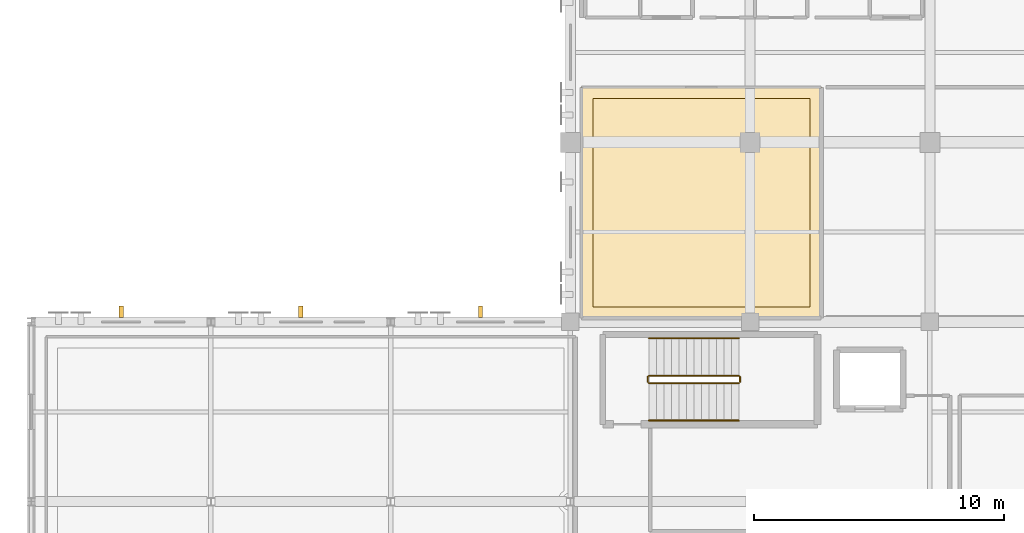
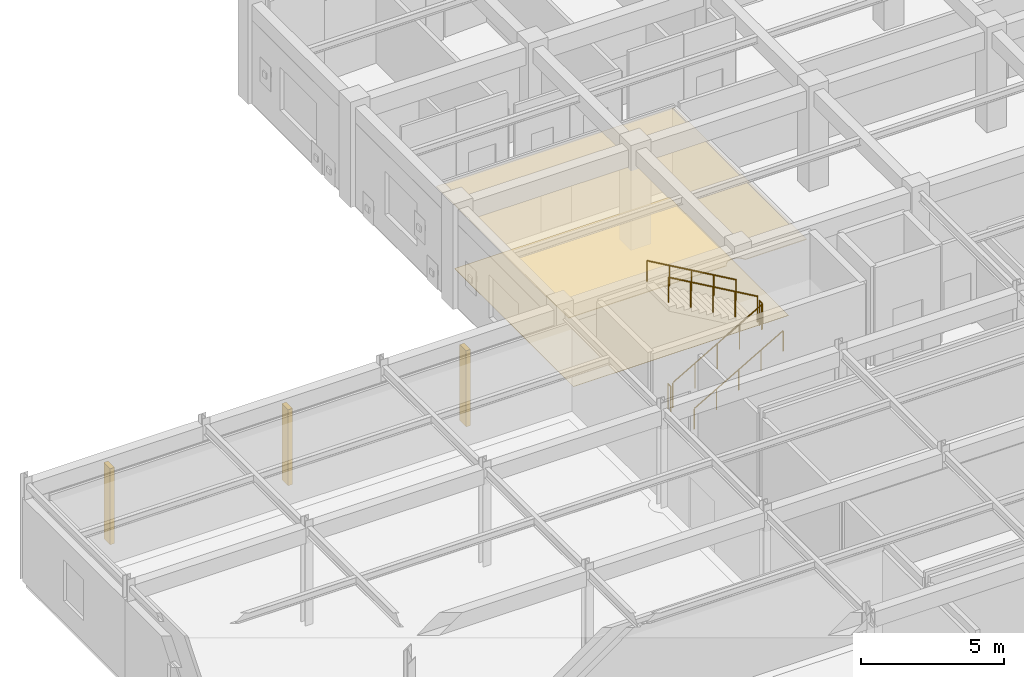
# One storey, part 99 of 106: 6 railings, 3 shading devices, 2 coverings.
"""IFC4 building model written with IfcOpenShell, lengths in metres."""

from ifc_helpers import new_model, si_unit, direction, frame, origin, origin_2d, place, context, subcontext, project, spatial, polyline, rectangle, circle, outline, extrude, material, layer, layer_set, type_object, element, save


model = new_model("IFC4")

# Units and contexts
model_context = context("Model", 3, precision=1e-05, world=origin(), true_north=direction((0.0, 1.0)))
body_context = subcontext(model_context, "Body", "Model", "MODEL_VIEW")
ifc_project = project(units=[si_unit("LENGTHUNIT", "METRE"), si_unit("AREAUNIT", "SQUARE_METRE"), si_unit("VOLUMEUNIT", "CUBIC_METRE"), si_unit("PLANEANGLEUNIT", "RADIAN"), si_unit("MASSUNIT", "GRAM", prefix="KILO")], contexts=[model_context])

# Site, building, storey
site_placement = place(None, origin())
site = spatial("IfcSite", under=ifc_project, at=site_placement, CompositionType="ELEMENT")
building_placement = place(site_placement, origin())
building = spatial("IfcBuilding", under=site, at=building_placement, Name="Carrowvane Square Congress Hotel", CompositionType="ELEMENT")
storey_placement = place(building_placement, frame((0.0, 0.0, 10.5)))
storey = spatial("IfcBuildingStorey", under=building, at=storey_placement, Name="L02", CompositionType="ELEMENT", Elevation=10.5)

# Coverings
ifc_material_1 = material(Name="Anodised aluminium", Category="aluminium")
ifc_layer_1 = layer(ifc_material_1, 0.030029296875)
ifc_layer_set_1 = layer_set([ifc_layer_1], Name="Anodised aluminium")
covering_type_1 = type_object("IfcCoveringType", Name="COV-CLG-MT30", PredefinedType="CEILING", material=ifc_layer_set_1)
covering_1_placement = place(storey_placement, frame((0.0, 0.0, 3.375)))
element("IfcCovering", 1, at=covering_1_placement, inside=storey, type_object=covering_type_1, Name="L02 L02 Wellness Reading Lounge acoustic ceiling", PredefinedType="CEILING", context=body_context, shape_type="SweptSolid", body=[
    extrude(outline(polyline([(43.26904296875, 101.205810546875), (43.26953125, 101.203857421875), (43.27001953125, 101.201904296875), (43.27001953125, 101.199951171875), (43.27001953125, 91.9599609375), (43.27001953125, 91.9580078125), (43.26953125, 91.9560546875), (43.26904296875, 91.9541015625), (43.2685546875, 91.952392578125), (43.267578125, 91.95068359375), (43.2666015625, 91.948974609375), (43.265380859375, 91.947265625), (43.26416015625, 91.94580078125), (43.2626953125, 91.944580078125), (43.260986328125, 91.943359375), (43.259521484375, 91.9423828125), (43.2578125, 91.94140625), (43.255859375, 91.94091796875), (43.25390625, 91.9404296875), (43.251953125, 91.940185546875), (43.25, 91.93994140625), (40.774169921875, 91.93994140625), (40.76953125, 91.953125), (40.752685546875, 91.988525390625), (40.732666015625, 92.022216796875), (40.709228515625, 92.0537109375), (40.682861328125, 92.082763671875), (40.65380859375, 92.109130859375), (40.622314453125, 92.132568359375), (40.588623046875, 92.15283203125), (40.552978515625, 92.169677734375), (40.51611328125, 92.182861328125), (40.47802734375, 92.1923828125), (40.439208984375, 92.197998046875), (40.39990234375, 92.199951171875), (40.36083984375, 92.197998046875), (40.322021484375, 92.1923828125), (40.283935546875, 92.182861328125), (40.246826171875, 92.169677734375), (40.21142578125, 92.15283203125), (40.177734375, 92.132568359375), (40.146240234375, 92.109130859375), (40.1171875, 92.082763671875), (40.0908203125, 92.0537109375), (40.0673828125, 92.022216796875), (40.047119140625, 91.988525390625), (40.030517578125, 91.953125), (40.02587890625, 91.93994140625), (33.64990234375, 91.93994140625), (33.64794921875, 91.940185546875), (33.64599609375, 91.9404296875), (33.644287109375, 91.94091796875), (33.642333984375, 91.94140625), (33.640625, 91.9423828125), (33.638916015625, 91.943359375), (33.63720703125, 91.944580078125), (33.635986328125, 91.94580078125), (33.634521484375, 91.947265625), (33.63330078125, 91.948974609375), (33.63232421875, 91.95068359375), (33.631591796875, 91.952392578125), (33.630859375, 91.9541015625), (33.63037109375, 91.9560546875), (33.630126953125, 91.9580078125), (33.6298828125, 91.9599609375), (33.6298828125, 98.86767578125), (33.630615234375, 98.869384765625), (33.641357421875, 98.912109375), (33.647705078125, 98.955810546875), (33.64990234375, 99.0), (33.647705078125, 99.044189453125), (33.641357421875, 99.087890625), (33.630615234375, 99.130615234375), (33.6298828125, 99.13232421875), (33.6298828125, 101.199951171875), (33.630126953125, 101.201904296875), (33.63037109375, 101.203857421875), (33.630859375, 101.205810546875), (33.631591796875, 101.207763671875), (33.63232421875, 101.20947265625), (33.63330078125, 101.211181640625), (33.634521484375, 101.212646484375), (33.635986328125, 101.214111328125), (33.63720703125, 101.215576171875), (33.638916015625, 101.216552734375), (33.640625, 101.217529296875), (33.642333984375, 101.218505859375), (33.644287109375, 101.218994140625), (33.64599609375, 101.219482421875), (33.64794921875, 101.219970703125), (33.64990234375, 101.219970703125), (43.25, 101.219970703125), (43.251953125, 101.219970703125), (43.25390625, 101.219482421875), (43.255859375, 101.218994140625), (43.2578125, 101.218505859375), (43.259521484375, 101.217529296875), (43.260986328125, 101.216552734375), (43.2626953125, 101.215576171875), (43.26416015625, 101.214111328125), (43.265380859375, 101.212646484375), (43.2666015625, 101.211181640625), (43.267578125, 101.20947265625), (43.2685546875, 101.207763671875), (43.26904296875, 101.205810546875)])), origin(), (0.0, 0.0, 1.0), 0.030029296875),
])
ifc_material_2 = material(Name="European oak timber", Category="wood")
ifc_layer_2 = layer(ifc_material_2, 0.013916015625)
ifc_layer_set_2 = layer_set([ifc_layer_2], Name="European oak timber")
covering_type_2 = type_object("IfcCoveringType", Name="COV-FLR-CRP14", PredefinedType="FLOORING", material=ifc_layer_set_2)
covering_2_placement = place(storey_placement, origin())
element("IfcCovering", 2, at=covering_2_placement, inside=storey, type_object=covering_type_2, Name="L02 L02 Wellness Reading Lounge floor finish", PredefinedType="FLOORING", context=body_context, shape_type="SweptSolid", body=[
    extrude(outline(polyline([(42.800048828125, 92.409912109375), (34.10009765625, 92.409912109375), (34.10009765625, 100.75), (42.800048828125, 100.75), (42.800048828125, 92.409912109375)])), origin(), (0.0, 0.0, 1.0), 0.013916015625),
])

# Railings
ifc_material_3 = material(Name="Stainless steel 316", Category="steel")
ifc_layer_3 = layer(ifc_material_3, 0.048095703125)
ifc_layer_set_3 = layer_set([ifc_layer_3], Name="Stainless steel 316")
railing_type_1 = type_object("IfcRailingType", Name="RLG-HR-900", PredefinedType="HANDRAIL", material=ifc_layer_set_3)
railing_1_placement = place(storey_placement, frame((36.35009765625, 87.85009765625, 0.173095703125)))
element("IfcRailing", 3, at=railing_1_placement, inside=storey, type_object=railing_type_1, Name="L02 ST5 stair handrail 1", PredefinedType="HANDRAIL", context=body_context, shape_type="SweptSolid", body=[
    extrude(circle(Radius=0.02392578125, at=origin_2d()), frame((0.0, 0.0, 0.8759765625), z_axis=(0.866178740119, 0.0, 0.499734319579), x_axis=(0.0, 1.0, 0.0)), (0.0, 0.0, 1.0), 4.156005859375),
    extrude(circle(Radius=0.02099609375, at=origin_2d()), origin(), (0.0, 0.0, 1.0), 0.851806640625),
    extrude(circle(Radius=0.02099609375, at=origin_2d()), frame((0.89990234375, 0.0, 0.519287109375)), (0.0, 0.0, 1.0), 0.851806640625),
    extrude(circle(Radius=0.02099609375, at=origin_2d()), frame((1.7998046875, 0.0, 1.03857421875)), (0.0, 0.0, 1.0), 0.851806640625),
    extrude(circle(Radius=0.02099609375, at=origin_2d()), frame((2.699951171875, 0.0, 1.5576171875)), (0.0, 0.0, 1.0), 0.851806640625),
    extrude(circle(Radius=0.02099609375, at=origin_2d()), frame((3.599853515625, 0.0, 2.076904296875)), (0.0, 0.0, 1.0), 0.851806640625),
])
railing_2_placement = place(storey_placement, frame((39.949951171875, 91.14990234375, 2.423095703125)))
element("IfcRailing", 4, at=railing_2_placement, inside=storey, type_object=railing_type_1, Name="L02 ST5 stair handrail 2", PredefinedType="HANDRAIL", context=body_context, shape_type="SweptSolid", body=[
    extrude(circle(Radius=0.02392578125, at=origin_2d()), frame((0.0, 0.0, 0.8759765625), z_axis=(-0.866178740119, 0.0, 0.499734319579), x_axis=(0.0, -1.0, 0.0)), (0.0, 0.0, 1.0), 4.156005859375),
    extrude(circle(Radius=0.02099609375, at=origin_2d()), origin(), (0.0, 0.0, 1.0), 0.851806640625),
    extrude(circle(Radius=0.02099609375, at=origin_2d()), frame((-0.89990234375, 0.0, 0.519287109375)), (0.0, 0.0, 1.0), 0.851806640625),
    extrude(circle(Radius=0.02099609375, at=origin_2d()), frame((-1.7998046875, 0.0, 1.03857421875)), (0.0, 0.0, 1.0), 0.851806640625),
    extrude(circle(Radius=0.02099609375, at=origin_2d()), frame((-2.699951171875, 0.0, 1.5576171875)), (0.0, 0.0, 1.0), 0.851806640625),
    extrude(circle(Radius=0.02099609375, at=origin_2d()), frame((-3.599853515625, 0.0, 2.076904296875)), (0.0, 0.0, 1.0), 0.851806640625),
])
ifc_material_4 = material(Name="Galvanised steel", Category="steel")
ifc_layer_4 = layer(ifc_material_4, 0.048095703125)
ifc_layer_set_4 = layer_set([ifc_layer_4], Name="Galvanised steel")
railing_type_2 = type_object("IfcRailingType", Name="RLG-STG-1100", PredefinedType="GUARDRAIL", material=ifc_layer_set_4)
railing_3_placement = place(storey_placement, frame((36.35009765625, 89.35009765625, 0.173095703125)))
element("IfcRailing", 5, at=railing_3_placement, inside=storey, type_object=railing_type_2, Name="L02 ST5 stair guard 1", PredefinedType="GUARDRAIL", context=body_context, shape_type="SweptSolid", body=[
    extrude(circle(Radius=0.02392578125, at=origin_2d()), frame((0.0, 0.0, 1.076171875), z_axis=(0.866178740119, 0.0, 0.499734319579), x_axis=(0.0, 1.0, 0.0)), (0.0, 0.0, 1.0), 4.156005859375),
    extrude(circle(Radius=0.02099609375, at=origin_2d()), origin(), (0.0, 0.0, 1.0), 1.052001953125),
    extrude(circle(Radius=0.02099609375, at=origin_2d()), frame((0.89990234375, 0.0, 0.519287109375)), (0.0, 0.0, 1.0), 1.052001953125),
    extrude(circle(Radius=0.02099609375, at=origin_2d()), frame((1.7998046875, 0.0, 1.03857421875)), (0.0, 0.0, 1.0), 1.052001953125),
    extrude(circle(Radius=0.02099609375, at=origin_2d()), frame((2.699951171875, 0.0, 1.5576171875)), (0.0, 0.0, 1.0), 1.052001953125),
    extrude(circle(Radius=0.02099609375, at=origin_2d()), frame((3.599853515625, 0.0, 2.076904296875)), (0.0, 0.0, 1.0), 1.052001953125),
])
railing_4_placement = place(storey_placement, frame((40.0, 89.39990234375, 2.25)))
element("IfcRailing", 6, at=railing_4_placement, inside=storey, type_object=railing_type_2, Name="L02 ST5 stair guard 2", PredefinedType="GUARDRAIL", context=body_context, shape_type="SweptSolid", body=[
    extrude(circle(Radius=0.02392578125, at=origin_2d()), frame((0.0, 0.0, 1.076171875), z_axis=(0.0, 1.0, 0.0), x_axis=(-1.0, 0.0, 0.0)), (0.0, 0.0, 1.0), 0.2001953125),
    extrude(circle(Radius=0.02099609375, at=origin_2d()), origin(), (0.0, 0.0, 1.0), 1.052001953125),
    extrude(circle(Radius=0.02099609375, at=origin_2d()), frame((0.0, 0.2001953125, 0.0)), (0.0, 0.0, 1.0), 1.052001953125),
])
railing_5_placement = place(storey_placement, frame((39.949951171875, 89.64990234375, 2.423095703125)))
element("IfcRailing", 7, at=railing_5_placement, inside=storey, type_object=railing_type_2, Name="L02 ST5 stair guard 3", PredefinedType="GUARDRAIL", context=body_context, shape_type="SweptSolid", body=[
    extrude(circle(Radius=0.02392578125, at=origin_2d()), frame((0.0, 0.0, 1.076171875), z_axis=(-0.866178740119, 0.0, 0.499734319579), x_axis=(0.0, -1.0, 0.0)), (0.0, 0.0, 1.0), 4.156005859375),
    extrude(circle(Radius=0.02099609375, at=origin_2d()), origin(), (0.0, 0.0, 1.0), 1.052001953125),
    extrude(circle(Radius=0.02099609375, at=origin_2d()), frame((-0.89990234375, 0.0, 0.519287109375)), (0.0, 0.0, 1.0), 1.052001953125),
    extrude(circle(Radius=0.02099609375, at=origin_2d()), frame((-1.7998046875, 0.0, 1.03857421875)), (0.0, 0.0, 1.0), 1.052001953125),
    extrude(circle(Radius=0.02099609375, at=origin_2d()), frame((-2.699951171875, 0.0, 1.5576171875)), (0.0, 0.0, 1.0), 1.052001953125),
    extrude(circle(Radius=0.02099609375, at=origin_2d()), frame((-3.599853515625, 0.0, 2.076904296875)), (0.0, 0.0, 1.0), 1.052001953125),
])
railing_6_placement = place(storey_placement, frame((36.300048828125, 89.39990234375, 0.0)))
element("IfcRailing", 8, at=railing_6_placement, inside=storey, type_object=railing_type_2, Name="L02 ST5 stair guard 4", PredefinedType="GUARDRAIL", context=body_context, shape_type="SweptSolid", body=[
    extrude(circle(Radius=0.02392578125, at=origin_2d()), frame((0.0, 0.0, 1.076171875), z_axis=(0.0, 1.0, 0.0), x_axis=(-1.0, 0.0, 0.0)), (0.0, 0.0, 1.0), 0.2001953125),
    extrude(circle(Radius=0.02099609375, at=origin_2d()), origin(), (0.0, 0.0, 1.0), 1.052001953125),
    extrude(circle(Radius=0.02099609375, at=origin_2d()), frame((0.0, 0.2001953125, 0.0)), (0.0, 0.0, 1.0), 1.052001953125),
])

# Shading devices
ifc_material_5 = material(Name="Portland limestone cladding", Category="masonry")
shading_device_type = type_object("IfcShadingDeviceType", Name="SHD-FIN-LS", PredefinedType="USERDEFINED", material=ifc_material_5)
for number, where, z_axis, x_axis, name in (
    (9, (15.199951171875, 92.2099609375, 0.150146484375), (0.0, 0.0, 1.0), (1.0, 0.0, 0.0), "Limestone brise-soleil fin 1"),
    (10, (22.39990234375, 92.2099609375, 0.150146484375), (0.0, 0.0, 1.0), (1.0, 0.0, 0.0), "Limestone brise-soleil fin 2"),
    (11, (29.60009765625, 92.2099609375, 0.150146484375), (0.0, 0.0, 1.0), (1.0, 0.0, 0.0), "Limestone brise-soleil fin 3"),
):
    element("IfcShadingDevice", number, at=place(storey_placement, frame(where, z_axis=z_axis, x_axis=x_axis)), inside=storey, type_object=shading_device_type, Name=name, ObjectType="FIN", PredefinedType="USERDEFINED", context=body_context, shape_type="SweptSolid", body=[
        extrude(rectangle(XDim=0.179931640625, YDim=0.449951171875, at=origin_2d()), origin(), (0.0, 0.0, 1.0), 3.2548828125),
    ])

save(model, "model.ifc")
